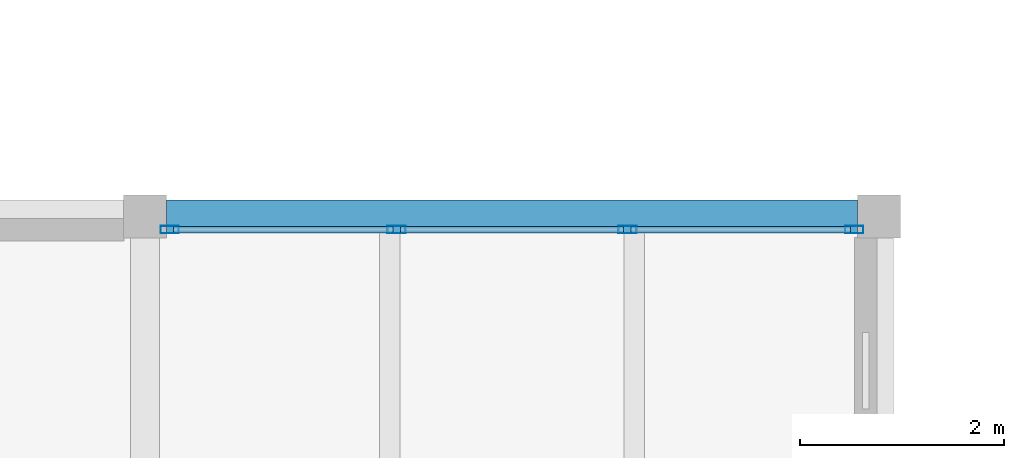
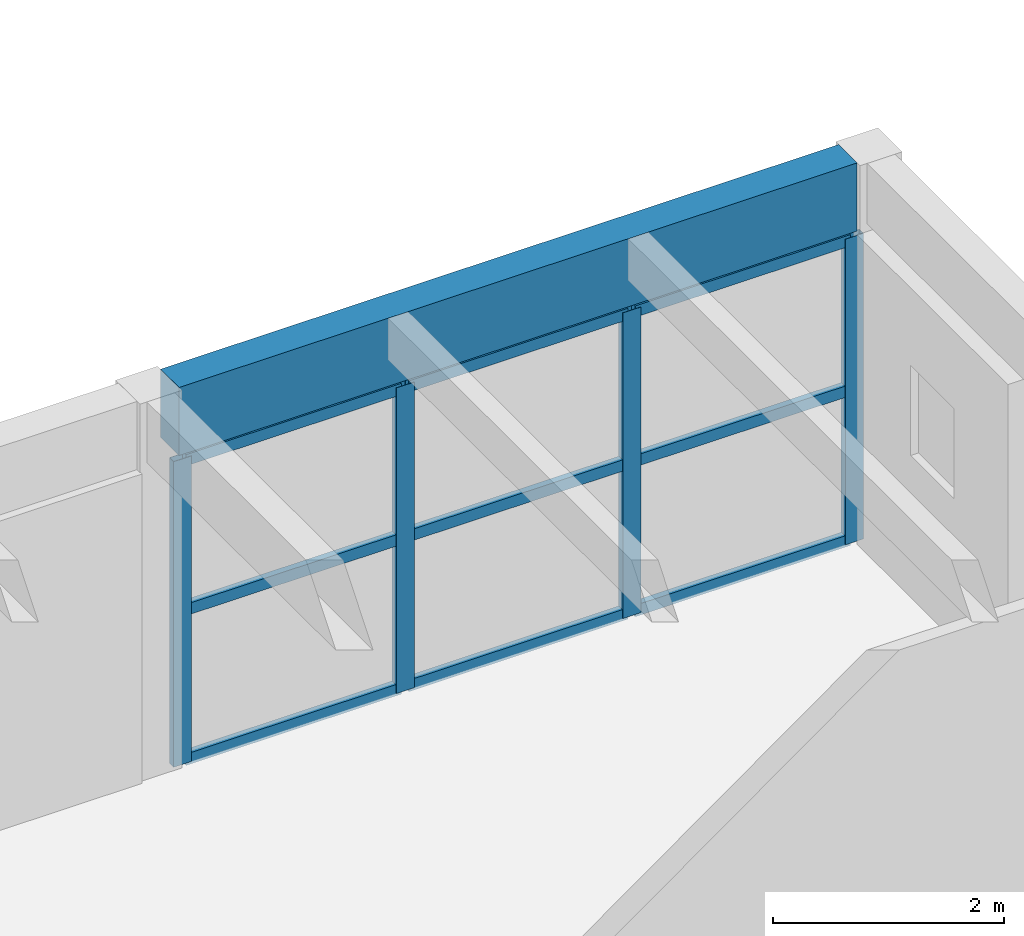
# One storey, part 30 of 68: 13 members, 1 beam, 1 element without a shape of its own.
"""IFC4 building model written with IfcOpenShell, lengths in metres."""

from ifc_helpers import new_model, si_unit, direction, frame, origin, origin_2d, place, context, subcontext, project, spatial, rectangle, hollow_rectangle, extrude, material, material_profile, profile_set, type_object, element, aggregate, save


model = new_model("IFC4")

# Units and contexts
model_context = context("Model", 3, precision=1e-05, world=origin(), true_north=direction((0.0, 1.0)))
body_context = subcontext(model_context, "Body", "Model", "MODEL_VIEW")
ifc_project = project(units=[si_unit("LENGTHUNIT", "METRE"), si_unit("AREAUNIT", "SQUARE_METRE"), si_unit("VOLUMEUNIT", "CUBIC_METRE"), si_unit("PLANEANGLEUNIT", "RADIAN"), si_unit("MASSUNIT", "GRAM", prefix="KILO")], contexts=[model_context])

# Site, building, storey
site_placement = place(None, origin())
site = spatial("IfcSite", under=ifc_project, at=site_placement, CompositionType="ELEMENT")
building_placement = place(site_placement, origin())
building = spatial("IfcBuilding", under=site, at=building_placement, Name="Bramvelor Terrace Health Centre", CompositionType="ELEMENT")
storey_placement = place(building_placement, frame((0.0, 0.0, 9.300048828125)))
storey = spatial("IfcBuildingStorey", under=building, at=storey_placement, Name="L03", CompositionType="ELEMENT", Elevation=9.300048828125)

# Beam
ifc_material_1 = material(Name="Glulam GL28h", Category="wood")
ifc_material_profile_1 = material_profile(ifc_material_1, rectangle(XDim=0.320068359375, YDim=0.719970703125, at=origin_2d()), Name="GL 320x720")
ifc_profile_set_1 = profile_set([ifc_material_profile_1], Name="Glulam GL28h")
beam_type = type_object("IfcBeamType", Name="BM-GL-G720", PredefinedType="BEAM", material=ifc_profile_set_1)
beam_placement = place(storey_placement, frame((50.610107421875, 100.800048828125, 3.6298828125), z_axis=(1.0, 0.0, 0.0), x_axis=(0.0, 1.0, 0.0)))
element("IfcBeam", 1, at=beam_placement, inside=storey, type_object=beam_type, Name="L03 Floor Girder", PredefinedType="BEAM", context=body_context, shape_type="SweptSolid", body=[
    extrude(rectangle(XDim=0.320068359375, YDim=0.719970703125, at=origin_2d()), origin(), (0.0, 0.0, 1.0), 6.77978515625),
])

# Curtain wall, members
ifc_material_2 = material(Name="Anodized aluminium and double low-E glass", Category="aluminium")
curtain_wall_type = type_object("IfcCurtainWallType", Name="CW-SYS-27", PredefinedType="NOTDEFINED", material=ifc_material_2)
curtain_wall_placement = place(storey_placement, origin())
curtain_wall = element("IfcCurtainWall", 2, at=curtain_wall_placement, inside=storey, type_object=curtain_wall_type, Name="L03 Unitized Curtain Wall 174", PredefinedType="NOTDEFINED")
ifc_material_3 = material(Name="Anodized aluminium 6063-T6", Category="aluminium")
ifc_material_profile_2 = material_profile(ifc_material_3, hollow_rectangle(XDim=0.074951171875, YDim=0.179931640625, WallThickness=0.00341796875, at=origin_2d()), Name="ALU-MUL 75x180x3.5")
ifc_profile_set_2 = profile_set([ifc_material_profile_2], Name="Anodized aluminium 6063-T6")
member_type_1 = type_object("IfcMemberType", Name="CW-MUL-65x180", PredefinedType="MULLION", material=ifc_profile_set_2)
member_1_placement = place(storey_placement, frame((50.642578125, 100.669921875, 0.0), z_axis=(0.0, 0.0, 1.0), x_axis=(0.0, 1.0, 0.0)))
member_1 = element("IfcMember", 3, at=member_1_placement, type_object=member_type_1, Name="CW-27 mullion 1", PredefinedType="MULLION", context=body_context, shape_type="SweptSolid", body=[
    extrude(hollow_rectangle(XDim=0.074951171875, YDim=0.179931640625, WallThickness=0.00341796875, at=origin_2d()), origin(), (0.0, 0.0, 1.0), 3.22998046875),
])
member_2_placement = place(storey_placement, frame((52.868408203125, 100.669921875, 0.0), z_axis=(0.0, 0.0, 1.0), x_axis=(0.0, 1.0, 0.0)))
member_2 = element("IfcMember", 4, at=member_2_placement, type_object=member_type_1, Name="CW-27 mullion 2", PredefinedType="MULLION", context=body_context, shape_type="SweptSolid", body=[
    extrude(hollow_rectangle(XDim=0.074951171875, YDim=0.179931640625, WallThickness=0.00341796875, at=origin_2d()), origin(), (0.0, 0.0, 1.0), 3.22998046875),
])
member_3_placement = place(storey_placement, frame((55.131591796875, 100.669921875, 0.0), z_axis=(0.0, 0.0, 1.0), x_axis=(0.0, 1.0, 0.0)))
member_3 = element("IfcMember", 5, at=member_3_placement, type_object=member_type_1, Name="CW-27 mullion 3", PredefinedType="MULLION", context=body_context, shape_type="SweptSolid", body=[
    extrude(hollow_rectangle(XDim=0.074951171875, YDim=0.179931640625, WallThickness=0.00341796875, at=origin_2d()), origin(), (0.0, 0.0, 1.0), 3.22998046875),
])
member_4_placement = place(storey_placement, frame((57.357421875, 100.669921875, 0.0), z_axis=(0.0, 0.0, 1.0), x_axis=(0.0, 1.0, 0.0)))
member_4 = element("IfcMember", 6, at=member_4_placement, type_object=member_type_1, Name="CW-27 mullion 4", PredefinedType="MULLION", context=body_context, shape_type="SweptSolid", body=[
    extrude(hollow_rectangle(XDim=0.074951171875, YDim=0.179931640625, WallThickness=0.00341796875, at=origin_2d()), origin(), (0.0, 0.0, 1.0), 3.22998046875),
])
ifc_material_4 = material(Name="Anodized aluminium 6063-T6", Category="aluminium")
ifc_material_profile_3 = material_profile(ifc_material_4, hollow_rectangle(XDim=0.06494140625, YDim=0.1201171875, WallThickness=0.0029296875, at=origin_2d()), Name="ALU-TRN 65x120x3.0")
ifc_profile_set_3 = profile_set([ifc_material_profile_3], Name="Anodized aluminium 6063-T6")
member_type_2 = type_object("IfcMemberType", Name="CW-TRN-65x150", PredefinedType="USERDEFINED", material=ifc_profile_set_3)
member_5_placement = place(storey_placement, frame((50.679931640625, 100.669921875, 0.032470703125), z_axis=(1.0, 0.0, 0.0), x_axis=(0.0, 1.0, 0.0)))
member_5 = element("IfcMember", 7, at=member_5_placement, type_object=member_type_2, Name="CW-27 transom 1.1", ObjectType="TRANSOM", PredefinedType="USERDEFINED", context=body_context, shape_type="SweptSolid", body=[
    extrude(hollow_rectangle(XDim=0.06494140625, YDim=0.1201171875, WallThickness=0.0029296875, at=origin_2d()), origin(), (0.0, 0.0, 1.0), 2.15087890625),
])
member_6_placement = place(storey_placement, frame((50.679931640625, 100.669921875, 1.614990234375), z_axis=(1.0, 0.0, 0.0), x_axis=(0.0, 1.0, 0.0)))
member_6 = element("IfcMember", 8, at=member_6_placement, type_object=member_type_2, Name="CW-27 transom 1.2", ObjectType="TRANSOM", PredefinedType="USERDEFINED", context=body_context, shape_type="SweptSolid", body=[
    extrude(hollow_rectangle(XDim=0.06494140625, YDim=0.1201171875, WallThickness=0.0029296875, at=origin_2d()), origin(), (0.0, 0.0, 1.0), 2.15087890625),
])
member_7_placement = place(storey_placement, frame((50.679931640625, 100.669921875, 3.197509765625), z_axis=(1.0, 0.0, 0.0), x_axis=(0.0, 1.0, 0.0)))
member_7 = element("IfcMember", 9, at=member_7_placement, type_object=member_type_2, Name="CW-27 transom 1.3", ObjectType="TRANSOM", PredefinedType="USERDEFINED", context=body_context, shape_type="SweptSolid", body=[
    extrude(hollow_rectangle(XDim=0.06494140625, YDim=0.1201171875, WallThickness=0.0029296875, at=origin_2d()), origin(), (0.0, 0.0, 1.0), 2.15087890625),
])
member_8_placement = place(storey_placement, frame((52.90576171875, 100.669921875, 0.032470703125), z_axis=(1.0, 0.0, 0.0), x_axis=(0.0, 1.0, 0.0)))
member_8 = element("IfcMember", 10, at=member_8_placement, type_object=member_type_2, Name="CW-27 transom 2.1", ObjectType="TRANSOM", PredefinedType="USERDEFINED", context=body_context, shape_type="SweptSolid", body=[
    extrude(hollow_rectangle(XDim=0.06494140625, YDim=0.1201171875, WallThickness=0.0029296875, at=origin_2d()), origin(), (0.0, 0.0, 1.0), 2.1884765625),
])
member_9_placement = place(storey_placement, frame((52.90576171875, 100.669921875, 1.614990234375), z_axis=(1.0, 0.0, 0.0), x_axis=(0.0, 1.0, 0.0)))
member_9 = element("IfcMember", 11, at=member_9_placement, type_object=member_type_2, Name="CW-27 transom 2.2", ObjectType="TRANSOM", PredefinedType="USERDEFINED", context=body_context, shape_type="SweptSolid", body=[
    extrude(hollow_rectangle(XDim=0.06494140625, YDim=0.1201171875, WallThickness=0.0029296875, at=origin_2d()), origin(), (0.0, 0.0, 1.0), 2.1884765625),
])
member_10_placement = place(storey_placement, frame((52.90576171875, 100.669921875, 3.197509765625), z_axis=(1.0, 0.0, 0.0), x_axis=(0.0, 1.0, 0.0)))
member_10 = element("IfcMember", 12, at=member_10_placement, type_object=member_type_2, Name="CW-27 transom 2.3", ObjectType="TRANSOM", PredefinedType="USERDEFINED", context=body_context, shape_type="SweptSolid", body=[
    extrude(hollow_rectangle(XDim=0.06494140625, YDim=0.1201171875, WallThickness=0.0029296875, at=origin_2d()), origin(), (0.0, 0.0, 1.0), 2.1884765625),
])
member_11_placement = place(storey_placement, frame((55.169189453125, 100.669921875, 0.032470703125), z_axis=(1.0, 0.0, 0.0), x_axis=(0.0, 1.0, 0.0)))
member_11 = element("IfcMember", 13, at=member_11_placement, type_object=member_type_2, Name="CW-27 transom 3.1", ObjectType="TRANSOM", PredefinedType="USERDEFINED", context=body_context, shape_type="SweptSolid", body=[
    extrude(hollow_rectangle(XDim=0.06494140625, YDim=0.1201171875, WallThickness=0.0029296875, at=origin_2d()), origin(), (0.0, 0.0, 1.0), 2.15087890625),
])
member_12_placement = place(storey_placement, frame((55.169189453125, 100.669921875, 1.614990234375), z_axis=(1.0, 0.0, 0.0), x_axis=(0.0, 1.0, 0.0)))
member_12 = element("IfcMember", 14, at=member_12_placement, type_object=member_type_2, Name="CW-27 transom 3.2", ObjectType="TRANSOM", PredefinedType="USERDEFINED", context=body_context, shape_type="SweptSolid", body=[
    extrude(hollow_rectangle(XDim=0.06494140625, YDim=0.1201171875, WallThickness=0.0029296875, at=origin_2d()), origin(), (0.0, 0.0, 1.0), 2.15087890625),
])
member_13_placement = place(storey_placement, frame((55.169189453125, 100.669921875, 3.197509765625), z_axis=(1.0, 0.0, 0.0), x_axis=(0.0, 1.0, 0.0)))
member_13 = element("IfcMember", 15, at=member_13_placement, type_object=member_type_2, Name="CW-27 transom 3.3", ObjectType="TRANSOM", PredefinedType="USERDEFINED", context=body_context, shape_type="SweptSolid", body=[
    extrude(hollow_rectangle(XDim=0.06494140625, YDim=0.1201171875, WallThickness=0.0029296875, at=origin_2d()), origin(), (0.0, 0.0, 1.0), 2.15087890625),
])
aggregate(curtain_wall, [member_1, member_2, member_3, member_4, member_5, member_6, member_7, member_8, member_9, member_10, member_11, member_12, member_13])

save(model, "model.ifc")
